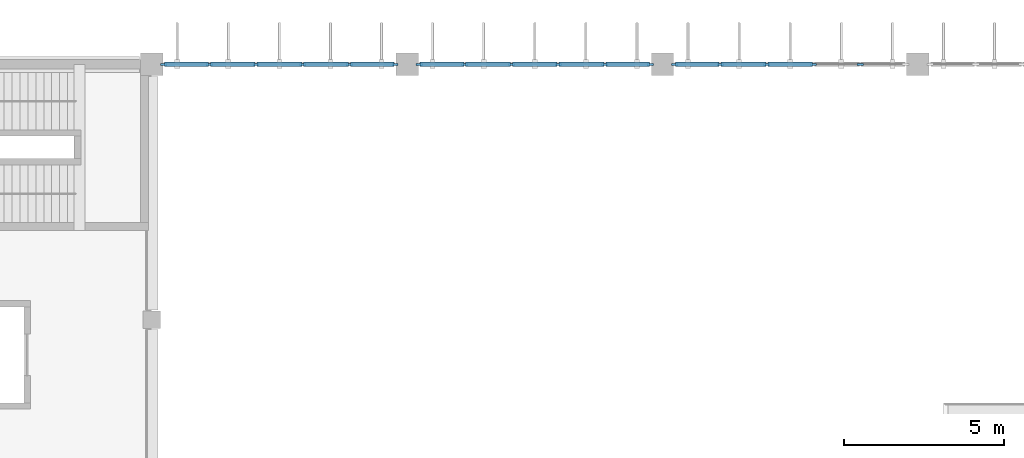
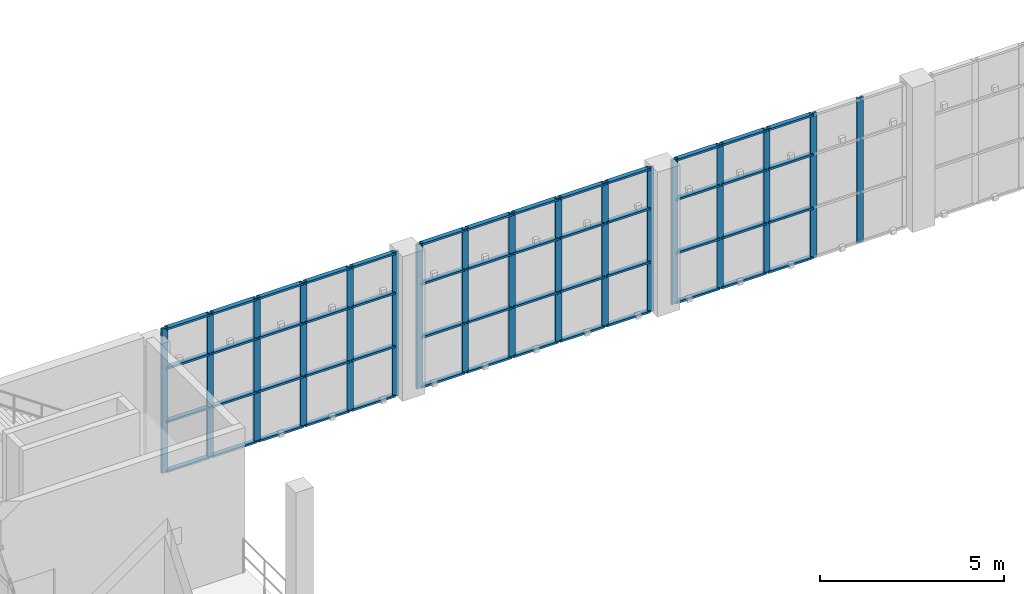
# One storey, part 27 of 93: 69 members, 3 elements without a shape of their own.
"""IFC4 building model written with IfcOpenShell, lengths in metres."""

from ifc_helpers import new_model, si_unit, direction, frame, origin, origin_2d, place, context, subcontext, project, spatial, rectangle, extrude, material, layer, layer_set, material_profile, profile_set, type_object, element, aggregate, save


model = new_model("IFC4")

# Units and contexts
model_context = context("Model", 3, precision=1e-05, world=origin(), true_north=direction((0.0, 1.0)))
body_context = subcontext(model_context, "Body", "Model", "MODEL_VIEW")
ifc_project = project(units=[si_unit("LENGTHUNIT", "METRE"), si_unit("AREAUNIT", "SQUARE_METRE"), si_unit("VOLUMEUNIT", "CUBIC_METRE"), si_unit("PLANEANGLEUNIT", "RADIAN"), si_unit("MASSUNIT", "GRAM", prefix="KILO")], contexts=[model_context])

# Site, building, storey
site_placement = place(None, origin())
site = spatial("IfcSite", under=ifc_project, at=site_placement, CompositionType="ELEMENT")
building_placement = place(site_placement, origin())
building = spatial("IfcBuilding", under=site, at=building_placement, Name="Drelvana Railside Aquatics Centre", CompositionType="ELEMENT")
storey_placement = place(building_placement, frame((0.0, 0.0, 5.39990234375)))
storey = spatial("IfcBuildingStorey", under=building, at=storey_placement, Name="L01", CompositionType="ELEMENT", Elevation=5.39990234375)

# Curtain wall, members
ifc_material_1 = material(Name="Bronze-anodised aluminium curtain wall", Category="aluminium")
ifc_layer = layer(ifc_material_1, 0.179931640625, Name="Bronze-anodised aluminium curtain wall")
ifc_layer_set = layer_set([ifc_layer], Name="Bronze-anodised aluminium curtain wall")
curtain_wall_type = type_object("IfcCurtainWallType", Name="CW-Z2-CLER", PredefinedType="NOTDEFINED", material=ifc_layer_set)
curtain_wall_1_placement = place(storey_placement, origin())
curtain_wall_1 = element("IfcCurtainWall", 1, at=curtain_wall_1_placement, inside=storey, type_object=curtain_wall_type, Name="Curtain wall CW-02-029", PredefinedType="NOTDEFINED")
ifc_material_2 = material(Name="Bronze-anodised aluminium 6063-T6", Category="aluminium")
ifc_material_profile_1 = material_profile(ifc_material_2, rectangle(XDim=0.070068359375, YDim=0.199951171875, at=origin_2d()), Name="ALU-M 70x200")
ifc_profile_set_1 = profile_set([ifc_material_profile_1], Name="Bronze-anodised aluminium 6063-T6")
member_type_1 = type_object("IfcMemberType", Name="CW-Z2-CLER-MUL", PredefinedType="MULLION", material=ifc_profile_set_1)
member_1_placement = place(storey_placement, frame((32.37890625, 116.0, -0.005859375), z_axis=(0.0, 0.0, 1.0), x_axis=(0.0, 1.0, 0.0)))
member_1 = element("IfcMember", 2, at=member_1_placement, type_object=member_type_1, Name="CW-02 mullion 1", PredefinedType="MULLION", context=body_context, shape_type="SweptSolid", body=[
    extrude(rectangle(XDim=0.070068359375, YDim=0.199951171875, at=origin_2d()), origin(), (0.0, 0.0, 1.0), 4.7958984375),
])
member_2_placement = place(storey_placement, frame((33.806396484375, 116.0, -0.005859375), z_axis=(0.0, 0.0, 1.0), x_axis=(0.0, 1.0, 0.0)))
member_2 = element("IfcMember", 3, at=member_2_placement, type_object=member_type_1, Name="CW-02 mullion 2", PredefinedType="MULLION", context=body_context, shape_type="SweptSolid", body=[
    extrude(rectangle(XDim=0.070068359375, YDim=0.199951171875, at=origin_2d()), origin(), (0.0, 0.0, 1.0), 4.7958984375),
])
member_3_placement = place(storey_placement, frame((35.268798828125, 116.0, -0.005859375), z_axis=(0.0, 0.0, 1.0), x_axis=(0.0, 1.0, 0.0)))
member_3 = element("IfcMember", 4, at=member_3_placement, type_object=member_type_1, Name="CW-02 mullion 3", PredefinedType="MULLION", context=body_context, shape_type="SweptSolid", body=[
    extrude(rectangle(XDim=0.070068359375, YDim=0.199951171875, at=origin_2d()), origin(), (0.0, 0.0, 1.0), 4.7958984375),
])
member_4_placement = place(storey_placement, frame((36.731201171875, 116.0, -0.005859375), z_axis=(0.0, 0.0, 1.0), x_axis=(0.0, 1.0, 0.0)))
member_4 = element("IfcMember", 5, at=member_4_placement, type_object=member_type_1, Name="CW-02 mullion 4", PredefinedType="MULLION", context=body_context, shape_type="SweptSolid", body=[
    extrude(rectangle(XDim=0.070068359375, YDim=0.199951171875, at=origin_2d()), origin(), (0.0, 0.0, 1.0), 4.7958984375),
])
member_5_placement = place(storey_placement, frame((38.193603515625, 116.0, -0.005859375), z_axis=(0.0, 0.0, 1.0), x_axis=(0.0, 1.0, 0.0)))
member_5 = element("IfcMember", 6, at=member_5_placement, type_object=member_type_1, Name="CW-02 mullion 5", PredefinedType="MULLION", context=body_context, shape_type="SweptSolid", body=[
    extrude(rectangle(XDim=0.070068359375, YDim=0.199951171875, at=origin_2d()), origin(), (0.0, 0.0, 1.0), 4.7958984375),
])
member_6_placement = place(storey_placement, frame((39.62109375, 116.0, -0.005859375), z_axis=(0.0, 0.0, 1.0), x_axis=(0.0, 1.0, 0.0)))
member_6 = element("IfcMember", 7, at=member_6_placement, type_object=member_type_1, Name="CW-02 mullion 6", PredefinedType="MULLION", context=body_context, shape_type="SweptSolid", body=[
    extrude(rectangle(XDim=0.070068359375, YDim=0.199951171875, at=origin_2d()), origin(), (0.0, 0.0, 1.0), 4.7958984375),
])

curtain_wall_2_placement = place(storey_placement, origin())
curtain_wall_2 = element("IfcCurtainWall", 8, at=curtain_wall_2_placement, inside=storey, type_object=curtain_wall_type, Name="Curtain wall CW-02-032", PredefinedType="NOTDEFINED")
member_7_placement = place(storey_placement, frame((40.37890625, 116.0, -0.005859375), z_axis=(0.0, 0.0, 1.0), x_axis=(0.0, 1.0, 0.0)))
member_7 = element("IfcMember", 9, at=member_7_placement, type_object=member_type_1, Name="CW-02 mullion 1", PredefinedType="MULLION", context=body_context, shape_type="SweptSolid", body=[
    extrude(rectangle(XDim=0.070068359375, YDim=0.199951171875, at=origin_2d()), origin(), (0.0, 0.0, 1.0), 4.7958984375),
])
member_8_placement = place(storey_placement, frame((41.806396484375, 116.0, -0.005859375), z_axis=(0.0, 0.0, 1.0), x_axis=(0.0, 1.0, 0.0)))
member_8 = element("IfcMember", 10, at=member_8_placement, type_object=member_type_1, Name="CW-02 mullion 2", PredefinedType="MULLION", context=body_context, shape_type="SweptSolid", body=[
    extrude(rectangle(XDim=0.070068359375, YDim=0.199951171875, at=origin_2d()), origin(), (0.0, 0.0, 1.0), 4.7958984375),
])
member_9_placement = place(storey_placement, frame((43.268798828125, 116.0, -0.005859375), z_axis=(0.0, 0.0, 1.0), x_axis=(0.0, 1.0, 0.0)))
member_9 = element("IfcMember", 11, at=member_9_placement, type_object=member_type_1, Name="CW-02 mullion 3", PredefinedType="MULLION", context=body_context, shape_type="SweptSolid", body=[
    extrude(rectangle(XDim=0.070068359375, YDim=0.199951171875, at=origin_2d()), origin(), (0.0, 0.0, 1.0), 4.7958984375),
])
member_10_placement = place(storey_placement, frame((44.731201171875, 116.0, -0.005859375), z_axis=(0.0, 0.0, 1.0), x_axis=(0.0, 1.0, 0.0)))
member_10 = element("IfcMember", 12, at=member_10_placement, type_object=member_type_1, Name="CW-02 mullion 4", PredefinedType="MULLION", context=body_context, shape_type="SweptSolid", body=[
    extrude(rectangle(XDim=0.070068359375, YDim=0.199951171875, at=origin_2d()), origin(), (0.0, 0.0, 1.0), 4.7958984375),
])
member_11_placement = place(storey_placement, frame((46.193603515625, 116.0, -0.005859375), z_axis=(0.0, 0.0, 1.0), x_axis=(0.0, 1.0, 0.0)))
member_11 = element("IfcMember", 13, at=member_11_placement, type_object=member_type_1, Name="CW-02 mullion 5", PredefinedType="MULLION", context=body_context, shape_type="SweptSolid", body=[
    extrude(rectangle(XDim=0.070068359375, YDim=0.199951171875, at=origin_2d()), origin(), (0.0, 0.0, 1.0), 4.7958984375),
])
member_12_placement = place(storey_placement, frame((47.62109375, 116.0, -0.005859375), z_axis=(0.0, 0.0, 1.0), x_axis=(0.0, 1.0, 0.0)))
member_12 = element("IfcMember", 14, at=member_12_placement, type_object=member_type_1, Name="CW-02 mullion 6", PredefinedType="MULLION", context=body_context, shape_type="SweptSolid", body=[
    extrude(rectangle(XDim=0.070068359375, YDim=0.199951171875, at=origin_2d()), origin(), (0.0, 0.0, 1.0), 4.7958984375),
])

curtain_wall_3_placement = place(storey_placement, origin())
curtain_wall_3 = element("IfcCurtainWall", 15, at=curtain_wall_3_placement, inside=storey, type_object=curtain_wall_type, Name="Curtain wall CW-02-035", PredefinedType="NOTDEFINED")
member_13_placement = place(storey_placement, frame((48.37890625, 116.0, -0.005859375), z_axis=(0.0, 0.0, 1.0), x_axis=(0.0, 1.0, 0.0)))
member_13 = element("IfcMember", 16, at=member_13_placement, type_object=member_type_1, Name="CW-02 mullion 1", PredefinedType="MULLION", context=body_context, shape_type="SweptSolid", body=[
    extrude(rectangle(XDim=0.070068359375, YDim=0.199951171875, at=origin_2d()), origin(), (0.0, 0.0, 1.0), 4.7958984375),
])
member_14_placement = place(storey_placement, frame((49.806396484375, 116.0, -0.005859375), z_axis=(0.0, 0.0, 1.0), x_axis=(0.0, 1.0, 0.0)))
member_14 = element("IfcMember", 17, at=member_14_placement, type_object=member_type_1, Name="CW-02 mullion 2", PredefinedType="MULLION", context=body_context, shape_type="SweptSolid", body=[
    extrude(rectangle(XDim=0.070068359375, YDim=0.199951171875, at=origin_2d()), origin(), (0.0, 0.0, 1.0), 4.7958984375),
])
member_15_placement = place(storey_placement, frame((51.268798828125, 116.0, -0.005859375), z_axis=(0.0, 0.0, 1.0), x_axis=(0.0, 1.0, 0.0)))
member_15 = element("IfcMember", 18, at=member_15_placement, type_object=member_type_1, Name="CW-02 mullion 3", PredefinedType="MULLION", context=body_context, shape_type="SweptSolid", body=[
    extrude(rectangle(XDim=0.070068359375, YDim=0.199951171875, at=origin_2d()), origin(), (0.0, 0.0, 1.0), 4.7958984375),
])
member_16_placement = place(storey_placement, frame((52.731201171875, 116.0, -0.005859375), z_axis=(0.0, 0.0, 1.0), x_axis=(0.0, 1.0, 0.0)))
member_16 = element("IfcMember", 19, at=member_16_placement, type_object=member_type_1, Name="CW-02 mullion 4", PredefinedType="MULLION", context=body_context, shape_type="SweptSolid", body=[
    extrude(rectangle(XDim=0.070068359375, YDim=0.199951171875, at=origin_2d()), origin(), (0.0, 0.0, 1.0), 4.7958984375),
])
member_17_placement = place(storey_placement, frame((54.193603515625, 116.0, -0.005859375), z_axis=(0.0, 0.0, 1.0), x_axis=(0.0, 1.0, 0.0)))
member_17 = element("IfcMember", 20, at=member_17_placement, type_object=member_type_1, Name="CW-02 mullion 5", PredefinedType="MULLION", context=body_context, shape_type="SweptSolid", body=[
    extrude(rectangle(XDim=0.070068359375, YDim=0.199951171875, at=origin_2d()), origin(), (0.0, 0.0, 1.0), 4.7958984375),
])

# Member
ifc_material_profile_2 = material_profile(ifc_material_2, rectangle(XDim=0.139892578125, YDim=0.06494140625, at=origin_2d()), Name="ALU-T 65x140")
ifc_profile_set_2 = profile_set([ifc_material_profile_2], Name="Bronze-anodised aluminium 6063-T6")
member_type_2 = type_object("IfcMemberType", Name="CW-Z2-CLER-TRN", PredefinedType="USERDEFINED", material=ifc_profile_set_2)
member_18_placement = place(storey_placement, frame((32.408935546875, 116.0, 0.026611328125), z_axis=(1.0, 0.0, 0.0), x_axis=(0.0, 1.0, 0.0)))
member_18 = element("IfcMember", 21, at=member_18_placement, type_object=member_type_2, Name="CW-02 transom 1.1", ObjectType="TRANSOM", PredefinedType="USERDEFINED", context=body_context, shape_type="SweptSolid", body=[
    extrude(rectangle(XDim=0.139892578125, YDim=0.06494140625, at=origin_2d()), origin(), (0.0, 0.0, 1.0), 1.367431640625),
])

member_19_placement = place(storey_placement, frame((32.408935546875, 116.0, 1.673095703125), z_axis=(1.0, 0.0, 0.0), x_axis=(0.0, 1.0, 0.0)))
member_19 = element("IfcMember", 22, at=member_19_placement, type_object=member_type_2, Name="CW-02 transom 1.2", ObjectType="TRANSOM", PredefinedType="USERDEFINED", context=body_context, shape_type="SweptSolid", body=[
    extrude(rectangle(XDim=0.139892578125, YDim=0.06494140625, at=origin_2d()), origin(), (0.0, 0.0, 1.0), 1.367431640625),
])

member_20_placement = place(storey_placement, frame((32.408935546875, 116.0, 3.447021484375), z_axis=(1.0, 0.0, 0.0), x_axis=(0.0, 1.0, 0.0)))
member_20 = element("IfcMember", 23, at=member_20_placement, type_object=member_type_2, Name="CW-02 transom 1.3", ObjectType="TRANSOM", PredefinedType="USERDEFINED", context=body_context, shape_type="SweptSolid", body=[
    extrude(rectangle(XDim=0.139892578125, YDim=0.06494140625, at=origin_2d()), origin(), (0.0, 0.0, 1.0), 1.367431640625),
])

member_21_placement = place(storey_placement, frame((32.408935546875, 116.0, 4.757568359375), z_axis=(1.0, 0.0, 0.0), x_axis=(0.0, 1.0, 0.0)))
member_21 = element("IfcMember", 24, at=member_21_placement, type_object=member_type_2, Name="CW-02 transom 1.4", ObjectType="TRANSOM", PredefinedType="USERDEFINED", context=body_context, shape_type="SweptSolid", body=[
    extrude(rectangle(XDim=0.139892578125, YDim=0.06494140625, at=origin_2d()), origin(), (0.0, 0.0, 1.0), 1.367431640625),
])

member_22_placement = place(storey_placement, frame((33.83642578125, 116.0, 0.026611328125), z_axis=(1.0, 0.0, 0.0), x_axis=(0.0, 1.0, 0.0)))
member_22 = element("IfcMember", 25, at=member_22_placement, type_object=member_type_2, Name="CW-02 transom 2.1", ObjectType="TRANSOM", PredefinedType="USERDEFINED", context=body_context, shape_type="SweptSolid", body=[
    extrude(rectangle(XDim=0.139892578125, YDim=0.06494140625, at=origin_2d()), origin(), (0.0, 0.0, 1.0), 1.40234375),
])

member_23_placement = place(storey_placement, frame((33.83642578125, 116.0, 1.673095703125), z_axis=(1.0, 0.0, 0.0), x_axis=(0.0, 1.0, 0.0)))
member_23 = element("IfcMember", 26, at=member_23_placement, type_object=member_type_2, Name="CW-02 transom 2.2", ObjectType="TRANSOM", PredefinedType="USERDEFINED", context=body_context, shape_type="SweptSolid", body=[
    extrude(rectangle(XDim=0.139892578125, YDim=0.06494140625, at=origin_2d()), origin(), (0.0, 0.0, 1.0), 1.40234375),
])

member_24_placement = place(storey_placement, frame((33.83642578125, 116.0, 3.447021484375), z_axis=(1.0, 0.0, 0.0), x_axis=(0.0, 1.0, 0.0)))
member_24 = element("IfcMember", 27, at=member_24_placement, type_object=member_type_2, Name="CW-02 transom 2.3", ObjectType="TRANSOM", PredefinedType="USERDEFINED", context=body_context, shape_type="SweptSolid", body=[
    extrude(rectangle(XDim=0.139892578125, YDim=0.06494140625, at=origin_2d()), origin(), (0.0, 0.0, 1.0), 1.40234375),
])

member_25_placement = place(storey_placement, frame((33.83642578125, 116.0, 4.757568359375), z_axis=(1.0, 0.0, 0.0), x_axis=(0.0, 1.0, 0.0)))
member_25 = element("IfcMember", 28, at=member_25_placement, type_object=member_type_2, Name="CW-02 transom 2.4", ObjectType="TRANSOM", PredefinedType="USERDEFINED", context=body_context, shape_type="SweptSolid", body=[
    extrude(rectangle(XDim=0.139892578125, YDim=0.06494140625, at=origin_2d()), origin(), (0.0, 0.0, 1.0), 1.40234375),
])

member_26_placement = place(storey_placement, frame((35.298828125, 116.0, 0.026611328125), z_axis=(1.0, 0.0, 0.0), x_axis=(0.0, 1.0, 0.0)))
member_26 = element("IfcMember", 29, at=member_26_placement, type_object=member_type_2, Name="CW-02 transom 3.1", ObjectType="TRANSOM", PredefinedType="USERDEFINED", context=body_context, shape_type="SweptSolid", body=[
    extrude(rectangle(XDim=0.139892578125, YDim=0.06494140625, at=origin_2d()), origin(), (0.0, 0.0, 1.0), 1.40234375),
])

member_27_placement = place(storey_placement, frame((35.298828125, 116.0, 1.673095703125), z_axis=(1.0, 0.0, 0.0), x_axis=(0.0, 1.0, 0.0)))
member_27 = element("IfcMember", 30, at=member_27_placement, type_object=member_type_2, Name="CW-02 transom 3.2", ObjectType="TRANSOM", PredefinedType="USERDEFINED", context=body_context, shape_type="SweptSolid", body=[
    extrude(rectangle(XDim=0.139892578125, YDim=0.06494140625, at=origin_2d()), origin(), (0.0, 0.0, 1.0), 1.40234375),
])

member_28_placement = place(storey_placement, frame((35.298828125, 116.0, 3.447021484375), z_axis=(1.0, 0.0, 0.0), x_axis=(0.0, 1.0, 0.0)))
member_28 = element("IfcMember", 31, at=member_28_placement, type_object=member_type_2, Name="CW-02 transom 3.3", ObjectType="TRANSOM", PredefinedType="USERDEFINED", context=body_context, shape_type="SweptSolid", body=[
    extrude(rectangle(XDim=0.139892578125, YDim=0.06494140625, at=origin_2d()), origin(), (0.0, 0.0, 1.0), 1.40234375),
])

member_29_placement = place(storey_placement, frame((35.298828125, 116.0, 4.757568359375), z_axis=(1.0, 0.0, 0.0), x_axis=(0.0, 1.0, 0.0)))
member_29 = element("IfcMember", 32, at=member_29_placement, type_object=member_type_2, Name="CW-02 transom 3.4", ObjectType="TRANSOM", PredefinedType="USERDEFINED", context=body_context, shape_type="SweptSolid", body=[
    extrude(rectangle(XDim=0.139892578125, YDim=0.06494140625, at=origin_2d()), origin(), (0.0, 0.0, 1.0), 1.40234375),
])

member_30_placement = place(storey_placement, frame((36.76123046875, 116.0, 0.026611328125), z_axis=(1.0, 0.0, 0.0), x_axis=(0.0, 1.0, 0.0)))
member_30 = element("IfcMember", 33, at=member_30_placement, type_object=member_type_2, Name="CW-02 transom 4.1", ObjectType="TRANSOM", PredefinedType="USERDEFINED", context=body_context, shape_type="SweptSolid", body=[
    extrude(rectangle(XDim=0.139892578125, YDim=0.06494140625, at=origin_2d()), origin(), (0.0, 0.0, 1.0), 1.40234375),
])

member_31_placement = place(storey_placement, frame((36.76123046875, 116.0, 1.673095703125), z_axis=(1.0, 0.0, 0.0), x_axis=(0.0, 1.0, 0.0)))
member_31 = element("IfcMember", 34, at=member_31_placement, type_object=member_type_2, Name="CW-02 transom 4.2", ObjectType="TRANSOM", PredefinedType="USERDEFINED", context=body_context, shape_type="SweptSolid", body=[
    extrude(rectangle(XDim=0.139892578125, YDim=0.06494140625, at=origin_2d()), origin(), (0.0, 0.0, 1.0), 1.40234375),
])

member_32_placement = place(storey_placement, frame((36.76123046875, 116.0, 3.447021484375), z_axis=(1.0, 0.0, 0.0), x_axis=(0.0, 1.0, 0.0)))
member_32 = element("IfcMember", 35, at=member_32_placement, type_object=member_type_2, Name="CW-02 transom 4.3", ObjectType="TRANSOM", PredefinedType="USERDEFINED", context=body_context, shape_type="SweptSolid", body=[
    extrude(rectangle(XDim=0.139892578125, YDim=0.06494140625, at=origin_2d()), origin(), (0.0, 0.0, 1.0), 1.40234375),
])

member_33_placement = place(storey_placement, frame((36.76123046875, 116.0, 4.757568359375), z_axis=(1.0, 0.0, 0.0), x_axis=(0.0, 1.0, 0.0)))
member_33 = element("IfcMember", 36, at=member_33_placement, type_object=member_type_2, Name="CW-02 transom 4.4", ObjectType="TRANSOM", PredefinedType="USERDEFINED", context=body_context, shape_type="SweptSolid", body=[
    extrude(rectangle(XDim=0.139892578125, YDim=0.06494140625, at=origin_2d()), origin(), (0.0, 0.0, 1.0), 1.40234375),
])

member_34_placement = place(storey_placement, frame((38.2236328125, 116.0, 0.026611328125), z_axis=(1.0, 0.0, 0.0), x_axis=(0.0, 1.0, 0.0)))
member_34 = element("IfcMember", 37, at=member_34_placement, type_object=member_type_2, Name="CW-02 transom 5.1", ObjectType="TRANSOM", PredefinedType="USERDEFINED", context=body_context, shape_type="SweptSolid", body=[
    extrude(rectangle(XDim=0.139892578125, YDim=0.06494140625, at=origin_2d()), origin(), (0.0, 0.0, 1.0), 1.367431640625),
])

member_35_placement = place(storey_placement, frame((38.2236328125, 116.0, 1.673095703125), z_axis=(1.0, 0.0, 0.0), x_axis=(0.0, 1.0, 0.0)))
member_35 = element("IfcMember", 38, at=member_35_placement, type_object=member_type_2, Name="CW-02 transom 5.2", ObjectType="TRANSOM", PredefinedType="USERDEFINED", context=body_context, shape_type="SweptSolid", body=[
    extrude(rectangle(XDim=0.139892578125, YDim=0.06494140625, at=origin_2d()), origin(), (0.0, 0.0, 1.0), 1.367431640625),
])

member_36_placement = place(storey_placement, frame((38.2236328125, 116.0, 3.447021484375), z_axis=(1.0, 0.0, 0.0), x_axis=(0.0, 1.0, 0.0)))
member_36 = element("IfcMember", 39, at=member_36_placement, type_object=member_type_2, Name="CW-02 transom 5.3", ObjectType="TRANSOM", PredefinedType="USERDEFINED", context=body_context, shape_type="SweptSolid", body=[
    extrude(rectangle(XDim=0.139892578125, YDim=0.06494140625, at=origin_2d()), origin(), (0.0, 0.0, 1.0), 1.367431640625),
])

member_37_placement = place(storey_placement, frame((38.2236328125, 116.0, 4.757568359375), z_axis=(1.0, 0.0, 0.0), x_axis=(0.0, 1.0, 0.0)))
member_37 = element("IfcMember", 40, at=member_37_placement, type_object=member_type_2, Name="CW-02 transom 5.4", ObjectType="TRANSOM", PredefinedType="USERDEFINED", context=body_context, shape_type="SweptSolid", body=[
    extrude(rectangle(XDim=0.139892578125, YDim=0.06494140625, at=origin_2d()), origin(), (0.0, 0.0, 1.0), 1.367431640625),
])

aggregate(curtain_wall_1, [member_1, member_2, member_3, member_4, member_5, member_6, member_18, member_19, member_20, member_21, member_22, member_23, member_24, member_25, member_26, member_27, member_28, member_29, member_30, member_31, member_32, member_33, member_34, member_35, member_36, member_37])

member_38_placement = place(storey_placement, frame((40.408935546875, 116.0, 0.026611328125), z_axis=(1.0, 0.0, 0.0), x_axis=(0.0, 1.0, 0.0)))
member_38 = element("IfcMember", 41, at=member_38_placement, type_object=member_type_2, Name="CW-02 transom 1.1", ObjectType="TRANSOM", PredefinedType="USERDEFINED", context=body_context, shape_type="SweptSolid", body=[
    extrude(rectangle(XDim=0.139892578125, YDim=0.06494140625, at=origin_2d()), origin(), (0.0, 0.0, 1.0), 1.367431640625),
])

member_39_placement = place(storey_placement, frame((40.408935546875, 116.0, 1.673095703125), z_axis=(1.0, 0.0, 0.0), x_axis=(0.0, 1.0, 0.0)))
member_39 = element("IfcMember", 42, at=member_39_placement, type_object=member_type_2, Name="CW-02 transom 1.2", ObjectType="TRANSOM", PredefinedType="USERDEFINED", context=body_context, shape_type="SweptSolid", body=[
    extrude(rectangle(XDim=0.139892578125, YDim=0.06494140625, at=origin_2d()), origin(), (0.0, 0.0, 1.0), 1.367431640625),
])

member_40_placement = place(storey_placement, frame((40.408935546875, 116.0, 3.447021484375), z_axis=(1.0, 0.0, 0.0), x_axis=(0.0, 1.0, 0.0)))
member_40 = element("IfcMember", 43, at=member_40_placement, type_object=member_type_2, Name="CW-02 transom 1.3", ObjectType="TRANSOM", PredefinedType="USERDEFINED", context=body_context, shape_type="SweptSolid", body=[
    extrude(rectangle(XDim=0.139892578125, YDim=0.06494140625, at=origin_2d()), origin(), (0.0, 0.0, 1.0), 1.367431640625),
])

member_41_placement = place(storey_placement, frame((40.408935546875, 116.0, 4.757568359375), z_axis=(1.0, 0.0, 0.0), x_axis=(0.0, 1.0, 0.0)))
member_41 = element("IfcMember", 44, at=member_41_placement, type_object=member_type_2, Name="CW-02 transom 1.4", ObjectType="TRANSOM", PredefinedType="USERDEFINED", context=body_context, shape_type="SweptSolid", body=[
    extrude(rectangle(XDim=0.139892578125, YDim=0.06494140625, at=origin_2d()), origin(), (0.0, 0.0, 1.0), 1.367431640625),
])

member_42_placement = place(storey_placement, frame((41.83642578125, 116.0, 0.026611328125), z_axis=(1.0, 0.0, 0.0), x_axis=(0.0, 1.0, 0.0)))
member_42 = element("IfcMember", 45, at=member_42_placement, type_object=member_type_2, Name="CW-02 transom 2.1", ObjectType="TRANSOM", PredefinedType="USERDEFINED", context=body_context, shape_type="SweptSolid", body=[
    extrude(rectangle(XDim=0.139892578125, YDim=0.06494140625, at=origin_2d()), origin(), (0.0, 0.0, 1.0), 1.40234375),
])

member_43_placement = place(storey_placement, frame((41.83642578125, 116.0, 1.673095703125), z_axis=(1.0, 0.0, 0.0), x_axis=(0.0, 1.0, 0.0)))
member_43 = element("IfcMember", 46, at=member_43_placement, type_object=member_type_2, Name="CW-02 transom 2.2", ObjectType="TRANSOM", PredefinedType="USERDEFINED", context=body_context, shape_type="SweptSolid", body=[
    extrude(rectangle(XDim=0.139892578125, YDim=0.06494140625, at=origin_2d()), origin(), (0.0, 0.0, 1.0), 1.40234375),
])

member_44_placement = place(storey_placement, frame((41.83642578125, 116.0, 3.447021484375), z_axis=(1.0, 0.0, 0.0), x_axis=(0.0, 1.0, 0.0)))
member_44 = element("IfcMember", 47, at=member_44_placement, type_object=member_type_2, Name="CW-02 transom 2.3", ObjectType="TRANSOM", PredefinedType="USERDEFINED", context=body_context, shape_type="SweptSolid", body=[
    extrude(rectangle(XDim=0.139892578125, YDim=0.06494140625, at=origin_2d()), origin(), (0.0, 0.0, 1.0), 1.40234375),
])

member_45_placement = place(storey_placement, frame((41.83642578125, 116.0, 4.757568359375), z_axis=(1.0, 0.0, 0.0), x_axis=(0.0, 1.0, 0.0)))
member_45 = element("IfcMember", 48, at=member_45_placement, type_object=member_type_2, Name="CW-02 transom 2.4", ObjectType="TRANSOM", PredefinedType="USERDEFINED", context=body_context, shape_type="SweptSolid", body=[
    extrude(rectangle(XDim=0.139892578125, YDim=0.06494140625, at=origin_2d()), origin(), (0.0, 0.0, 1.0), 1.40234375),
])

member_46_placement = place(storey_placement, frame((43.298828125, 116.0, 0.026611328125), z_axis=(1.0, 0.0, 0.0), x_axis=(0.0, 1.0, 0.0)))
member_46 = element("IfcMember", 49, at=member_46_placement, type_object=member_type_2, Name="CW-02 transom 3.1", ObjectType="TRANSOM", PredefinedType="USERDEFINED", context=body_context, shape_type="SweptSolid", body=[
    extrude(rectangle(XDim=0.139892578125, YDim=0.06494140625, at=origin_2d()), origin(), (0.0, 0.0, 1.0), 1.40234375),
])

member_47_placement = place(storey_placement, frame((43.298828125, 116.0, 1.673095703125), z_axis=(1.0, 0.0, 0.0), x_axis=(0.0, 1.0, 0.0)))
member_47 = element("IfcMember", 50, at=member_47_placement, type_object=member_type_2, Name="CW-02 transom 3.2", ObjectType="TRANSOM", PredefinedType="USERDEFINED", context=body_context, shape_type="SweptSolid", body=[
    extrude(rectangle(XDim=0.139892578125, YDim=0.06494140625, at=origin_2d()), origin(), (0.0, 0.0, 1.0), 1.40234375),
])

member_48_placement = place(storey_placement, frame((43.298828125, 116.0, 3.447021484375), z_axis=(1.0, 0.0, 0.0), x_axis=(0.0, 1.0, 0.0)))
member_48 = element("IfcMember", 51, at=member_48_placement, type_object=member_type_2, Name="CW-02 transom 3.3", ObjectType="TRANSOM", PredefinedType="USERDEFINED", context=body_context, shape_type="SweptSolid", body=[
    extrude(rectangle(XDim=0.139892578125, YDim=0.06494140625, at=origin_2d()), origin(), (0.0, 0.0, 1.0), 1.40234375),
])

member_49_placement = place(storey_placement, frame((43.298828125, 116.0, 4.757568359375), z_axis=(1.0, 0.0, 0.0), x_axis=(0.0, 1.0, 0.0)))
member_49 = element("IfcMember", 52, at=member_49_placement, type_object=member_type_2, Name="CW-02 transom 3.4", ObjectType="TRANSOM", PredefinedType="USERDEFINED", context=body_context, shape_type="SweptSolid", body=[
    extrude(rectangle(XDim=0.139892578125, YDim=0.06494140625, at=origin_2d()), origin(), (0.0, 0.0, 1.0), 1.40234375),
])

member_50_placement = place(storey_placement, frame((44.76123046875, 116.0, 0.026611328125), z_axis=(1.0, 0.0, 0.0), x_axis=(0.0, 1.0, 0.0)))
member_50 = element("IfcMember", 53, at=member_50_placement, type_object=member_type_2, Name="CW-02 transom 4.1", ObjectType="TRANSOM", PredefinedType="USERDEFINED", context=body_context, shape_type="SweptSolid", body=[
    extrude(rectangle(XDim=0.139892578125, YDim=0.06494140625, at=origin_2d()), origin(), (0.0, 0.0, 1.0), 1.40234375),
])

member_51_placement = place(storey_placement, frame((44.76123046875, 116.0, 1.673095703125), z_axis=(1.0, 0.0, 0.0), x_axis=(0.0, 1.0, 0.0)))
member_51 = element("IfcMember", 54, at=member_51_placement, type_object=member_type_2, Name="CW-02 transom 4.2", ObjectType="TRANSOM", PredefinedType="USERDEFINED", context=body_context, shape_type="SweptSolid", body=[
    extrude(rectangle(XDim=0.139892578125, YDim=0.06494140625, at=origin_2d()), origin(), (0.0, 0.0, 1.0), 1.40234375),
])

member_52_placement = place(storey_placement, frame((44.76123046875, 116.0, 3.447021484375), z_axis=(1.0, 0.0, 0.0), x_axis=(0.0, 1.0, 0.0)))
member_52 = element("IfcMember", 55, at=member_52_placement, type_object=member_type_2, Name="CW-02 transom 4.3", ObjectType="TRANSOM", PredefinedType="USERDEFINED", context=body_context, shape_type="SweptSolid", body=[
    extrude(rectangle(XDim=0.139892578125, YDim=0.06494140625, at=origin_2d()), origin(), (0.0, 0.0, 1.0), 1.40234375),
])

member_53_placement = place(storey_placement, frame((44.76123046875, 116.0, 4.757568359375), z_axis=(1.0, 0.0, 0.0), x_axis=(0.0, 1.0, 0.0)))
member_53 = element("IfcMember", 56, at=member_53_placement, type_object=member_type_2, Name="CW-02 transom 4.4", ObjectType="TRANSOM", PredefinedType="USERDEFINED", context=body_context, shape_type="SweptSolid", body=[
    extrude(rectangle(XDim=0.139892578125, YDim=0.06494140625, at=origin_2d()), origin(), (0.0, 0.0, 1.0), 1.40234375),
])

member_54_placement = place(storey_placement, frame((46.2236328125, 116.0, 0.026611328125), z_axis=(1.0, 0.0, 0.0), x_axis=(0.0, 1.0, 0.0)))
member_54 = element("IfcMember", 57, at=member_54_placement, type_object=member_type_2, Name="CW-02 transom 5.1", ObjectType="TRANSOM", PredefinedType="USERDEFINED", context=body_context, shape_type="SweptSolid", body=[
    extrude(rectangle(XDim=0.139892578125, YDim=0.06494140625, at=origin_2d()), origin(), (0.0, 0.0, 1.0), 1.367431640625),
])

member_55_placement = place(storey_placement, frame((46.2236328125, 116.0, 1.673095703125), z_axis=(1.0, 0.0, 0.0), x_axis=(0.0, 1.0, 0.0)))
member_55 = element("IfcMember", 58, at=member_55_placement, type_object=member_type_2, Name="CW-02 transom 5.2", ObjectType="TRANSOM", PredefinedType="USERDEFINED", context=body_context, shape_type="SweptSolid", body=[
    extrude(rectangle(XDim=0.139892578125, YDim=0.06494140625, at=origin_2d()), origin(), (0.0, 0.0, 1.0), 1.367431640625),
])

member_56_placement = place(storey_placement, frame((46.2236328125, 116.0, 3.447021484375), z_axis=(1.0, 0.0, 0.0), x_axis=(0.0, 1.0, 0.0)))
member_56 = element("IfcMember", 59, at=member_56_placement, type_object=member_type_2, Name="CW-02 transom 5.3", ObjectType="TRANSOM", PredefinedType="USERDEFINED", context=body_context, shape_type="SweptSolid", body=[
    extrude(rectangle(XDim=0.139892578125, YDim=0.06494140625, at=origin_2d()), origin(), (0.0, 0.0, 1.0), 1.367431640625),
])

member_57_placement = place(storey_placement, frame((46.2236328125, 116.0, 4.757568359375), z_axis=(1.0, 0.0, 0.0), x_axis=(0.0, 1.0, 0.0)))
member_57 = element("IfcMember", 60, at=member_57_placement, type_object=member_type_2, Name="CW-02 transom 5.4", ObjectType="TRANSOM", PredefinedType="USERDEFINED", context=body_context, shape_type="SweptSolid", body=[
    extrude(rectangle(XDim=0.139892578125, YDim=0.06494140625, at=origin_2d()), origin(), (0.0, 0.0, 1.0), 1.367431640625),
])

aggregate(curtain_wall_2, [member_7, member_8, member_9, member_10, member_11, member_12, member_38, member_39, member_40, member_41, member_42, member_43, member_44, member_45, member_46, member_47, member_48, member_49, member_50, member_51, member_52, member_53, member_54, member_55, member_56, member_57])

member_58_placement = place(storey_placement, frame((48.408935546875, 116.0, 0.026611328125), z_axis=(1.0, 0.0, 0.0), x_axis=(0.0, 1.0, 0.0)))
member_58 = element("IfcMember", 61, at=member_58_placement, type_object=member_type_2, Name="CW-02 transom 1.1", ObjectType="TRANSOM", PredefinedType="USERDEFINED", context=body_context, shape_type="SweptSolid", body=[
    extrude(rectangle(XDim=0.139892578125, YDim=0.06494140625, at=origin_2d()), origin(), (0.0, 0.0, 1.0), 1.367431640625),
])

member_59_placement = place(storey_placement, frame((48.408935546875, 116.0, 1.673095703125), z_axis=(1.0, 0.0, 0.0), x_axis=(0.0, 1.0, 0.0)))
member_59 = element("IfcMember", 62, at=member_59_placement, type_object=member_type_2, Name="CW-02 transom 1.2", ObjectType="TRANSOM", PredefinedType="USERDEFINED", context=body_context, shape_type="SweptSolid", body=[
    extrude(rectangle(XDim=0.139892578125, YDim=0.06494140625, at=origin_2d()), origin(), (0.0, 0.0, 1.0), 1.367431640625),
])

member_60_placement = place(storey_placement, frame((48.408935546875, 116.0, 3.447021484375), z_axis=(1.0, 0.0, 0.0), x_axis=(0.0, 1.0, 0.0)))
member_60 = element("IfcMember", 63, at=member_60_placement, type_object=member_type_2, Name="CW-02 transom 1.3", ObjectType="TRANSOM", PredefinedType="USERDEFINED", context=body_context, shape_type="SweptSolid", body=[
    extrude(rectangle(XDim=0.139892578125, YDim=0.06494140625, at=origin_2d()), origin(), (0.0, 0.0, 1.0), 1.367431640625),
])

member_61_placement = place(storey_placement, frame((48.408935546875, 116.0, 4.757568359375), z_axis=(1.0, 0.0, 0.0), x_axis=(0.0, 1.0, 0.0)))
member_61 = element("IfcMember", 64, at=member_61_placement, type_object=member_type_2, Name="CW-02 transom 1.4", ObjectType="TRANSOM", PredefinedType="USERDEFINED", context=body_context, shape_type="SweptSolid", body=[
    extrude(rectangle(XDim=0.139892578125, YDim=0.06494140625, at=origin_2d()), origin(), (0.0, 0.0, 1.0), 1.367431640625),
])

member_62_placement = place(storey_placement, frame((49.83642578125, 116.0, 0.026611328125), z_axis=(1.0, 0.0, 0.0), x_axis=(0.0, 1.0, 0.0)))
member_62 = element("IfcMember", 65, at=member_62_placement, type_object=member_type_2, Name="CW-02 transom 2.1", ObjectType="TRANSOM", PredefinedType="USERDEFINED", context=body_context, shape_type="SweptSolid", body=[
    extrude(rectangle(XDim=0.139892578125, YDim=0.06494140625, at=origin_2d()), origin(), (0.0, 0.0, 1.0), 1.40234375),
])

member_63_placement = place(storey_placement, frame((49.83642578125, 116.0, 1.673095703125), z_axis=(1.0, 0.0, 0.0), x_axis=(0.0, 1.0, 0.0)))
member_63 = element("IfcMember", 66, at=member_63_placement, type_object=member_type_2, Name="CW-02 transom 2.2", ObjectType="TRANSOM", PredefinedType="USERDEFINED", context=body_context, shape_type="SweptSolid", body=[
    extrude(rectangle(XDim=0.139892578125, YDim=0.06494140625, at=origin_2d()), origin(), (0.0, 0.0, 1.0), 1.40234375),
])

member_64_placement = place(storey_placement, frame((49.83642578125, 116.0, 3.447021484375), z_axis=(1.0, 0.0, 0.0), x_axis=(0.0, 1.0, 0.0)))
member_64 = element("IfcMember", 67, at=member_64_placement, type_object=member_type_2, Name="CW-02 transom 2.3", ObjectType="TRANSOM", PredefinedType="USERDEFINED", context=body_context, shape_type="SweptSolid", body=[
    extrude(rectangle(XDim=0.139892578125, YDim=0.06494140625, at=origin_2d()), origin(), (0.0, 0.0, 1.0), 1.40234375),
])

member_65_placement = place(storey_placement, frame((49.83642578125, 116.0, 4.757568359375), z_axis=(1.0, 0.0, 0.0), x_axis=(0.0, 1.0, 0.0)))
member_65 = element("IfcMember", 68, at=member_65_placement, type_object=member_type_2, Name="CW-02 transom 2.4", ObjectType="TRANSOM", PredefinedType="USERDEFINED", context=body_context, shape_type="SweptSolid", body=[
    extrude(rectangle(XDim=0.139892578125, YDim=0.06494140625, at=origin_2d()), origin(), (0.0, 0.0, 1.0), 1.40234375),
])

member_66_placement = place(storey_placement, frame((51.298828125, 116.0, 0.026611328125), z_axis=(1.0, 0.0, 0.0), x_axis=(0.0, 1.0, 0.0)))
member_66 = element("IfcMember", 69, at=member_66_placement, type_object=member_type_2, Name="CW-02 transom 3.1", ObjectType="TRANSOM", PredefinedType="USERDEFINED", context=body_context, shape_type="SweptSolid", body=[
    extrude(rectangle(XDim=0.139892578125, YDim=0.06494140625, at=origin_2d()), origin(), (0.0, 0.0, 1.0), 1.40234375),
])

member_67_placement = place(storey_placement, frame((51.298828125, 116.0, 1.673095703125), z_axis=(1.0, 0.0, 0.0), x_axis=(0.0, 1.0, 0.0)))
member_67 = element("IfcMember", 70, at=member_67_placement, type_object=member_type_2, Name="CW-02 transom 3.2", ObjectType="TRANSOM", PredefinedType="USERDEFINED", context=body_context, shape_type="SweptSolid", body=[
    extrude(rectangle(XDim=0.139892578125, YDim=0.06494140625, at=origin_2d()), origin(), (0.0, 0.0, 1.0), 1.40234375),
])

member_68_placement = place(storey_placement, frame((51.298828125, 116.0, 3.447021484375), z_axis=(1.0, 0.0, 0.0), x_axis=(0.0, 1.0, 0.0)))
member_68 = element("IfcMember", 71, at=member_68_placement, type_object=member_type_2, Name="CW-02 transom 3.3", ObjectType="TRANSOM", PredefinedType="USERDEFINED", context=body_context, shape_type="SweptSolid", body=[
    extrude(rectangle(XDim=0.139892578125, YDim=0.06494140625, at=origin_2d()), origin(), (0.0, 0.0, 1.0), 1.40234375),
])

member_69_placement = place(storey_placement, frame((51.298828125, 116.0, 4.757568359375), z_axis=(1.0, 0.0, 0.0), x_axis=(0.0, 1.0, 0.0)))
member_69 = element("IfcMember", 72, at=member_69_placement, type_object=member_type_2, Name="CW-02 transom 3.4", ObjectType="TRANSOM", PredefinedType="USERDEFINED", context=body_context, shape_type="SweptSolid", body=[
    extrude(rectangle(XDim=0.139892578125, YDim=0.06494140625, at=origin_2d()), origin(), (0.0, 0.0, 1.0), 1.40234375),
])

aggregate(curtain_wall_3, [member_13, member_14, member_15, member_16, member_17, member_58, member_59, member_60, member_61, member_62, member_63, member_64, member_65, member_66, member_67, member_68, member_69])

save(model, "model.ifc")
